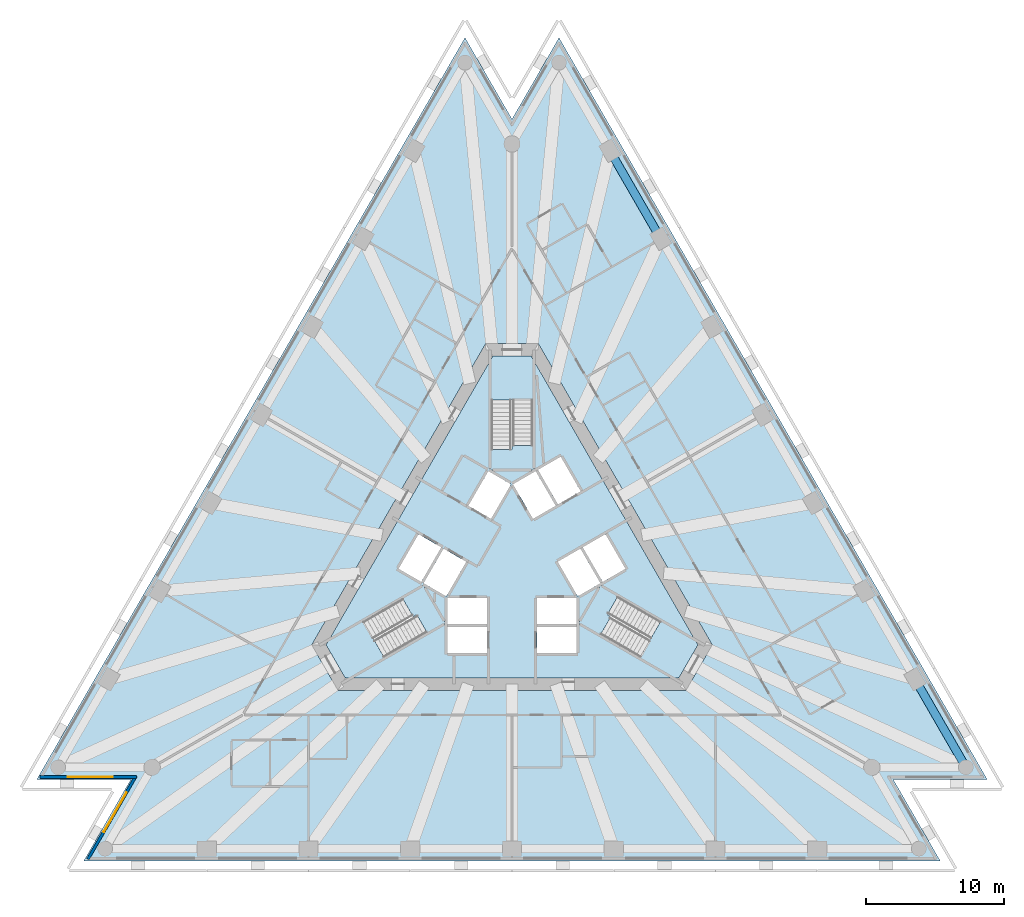
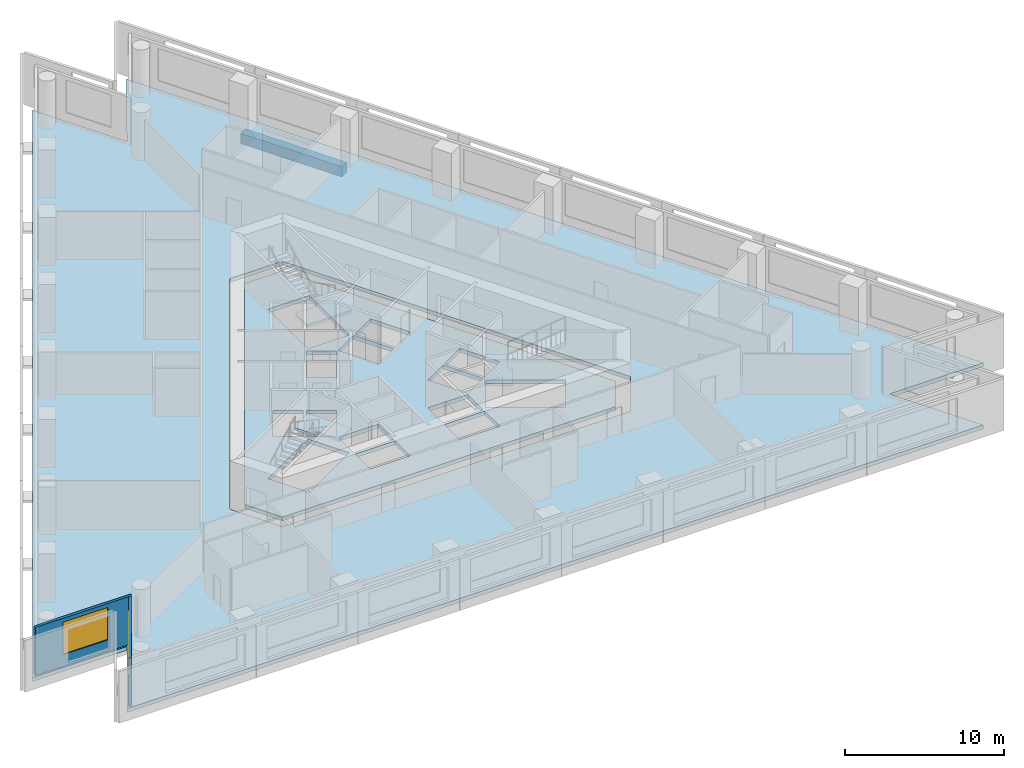
# One storey, part 2 of 11: 5 slabs, 2 beams, 2 walls, 2 windows, 2 openings, 3 elements without a shape of their own.
"""IFC4 building model written with IfcOpenShell, lengths in metres."""

from ifc_helpers import new_model, si_unit, direction, frame, frame_2d, origin, origin_2d, place, context, subcontext, project, spatial, polyline, rectangle, outline, extrude, material, layer, layer_set, layer_usage, material_profile, profile_set, type_object, element, fill, aggregate, save


model = new_model("IFC4")

# Units and contexts
model_context = context("Model", 3, precision=1e-05, world=origin(), true_north=direction((0.0, 1.0)))
body_context = subcontext(model_context, "Body", "Model", "MODEL_VIEW")
ifc_project = project(units=[si_unit("LENGTHUNIT", "METRE"), si_unit("AREAUNIT", "SQUARE_METRE"), si_unit("VOLUMEUNIT", "CUBIC_METRE"), si_unit("PLANEANGLEUNIT", "RADIAN"), si_unit("MASSUNIT", "GRAM", prefix="KILO")], contexts=[model_context])

# Site, building, storey
site_placement = place(None, origin())
site = spatial("IfcSite", under=ifc_project, at=site_placement, CompositionType="ELEMENT")
building_placement = place(site_placement, origin())
building = spatial("IfcBuilding", under=site, at=building_placement, Name="Triada Interchange Tower", CompositionType="ELEMENT")
storey_placement = place(building_placement, frame((0.0, 0.0, 67.300048828125)))
storey = spatial("IfcBuildingStorey", under=building, at=storey_placement, Name="L14", CompositionType="ELEMENT", Elevation=67.300048828125)

# Beams
ifc_material_1 = material(Name="Concrete C50/60", Category="concrete")
ifc_material_profile = material_profile(ifc_material_1, rectangle(XDim=0.60009765625, YDim=0.800048828125, at=origin_2d()), Name="RC 600x800")
ifc_profile_set = profile_set([ifc_material_profile], Name="Concrete C50/60")
beam_type = type_object("IfcBeamType", Name="Spandrel beam A RC 600x800", PredefinedType="BEAM", material=ifc_profile_set)
beam_1_placement = place(storey_placement, frame((32.98291015625, -15.097900390625, -0.699951171875), z_axis=(-0.500025532259, 0.866010662226, 0.0), x_axis=(-0.866010662226, -0.500025532259, 0.0)))
element("IfcBeam", 1, at=beam_1_placement, inside=storey, type_object=beam_type, Name="Spandrel beam EA21 L14", PredefinedType="BEAM", context=body_context, shape_type="SweptSolid", body=[
    extrude(rectangle(XDim=0.60009765625, YDim=0.800048828125, at=origin_2d()), origin(), (0.0, 0.0, 1.0), 7.39111328125),
])
beam_2_placement = place(storey_placement, frame((10.80810546875, 23.31005859375, -0.699951171875), z_axis=(-0.499993095098, 0.866029390295, 0.0), x_axis=(-0.866029390295, -0.499993095098, 0.0)))
element("IfcBeam", 2, at=beam_2_placement, inside=storey, type_object=beam_type, Name="Spandrel beam EA27 L14", PredefinedType="BEAM", context=body_context, shape_type="SweptSolid", body=[
    extrude(rectangle(XDim=0.60009765625, YDim=0.800048828125, at=origin_2d()), origin(), (0.0, 0.0, 1.0), 7.39208984375),
])

# Slabs
ifc_layer_1 = layer(ifc_material_1, 0.300048828125)
ifc_layer_set_1 = layer_set([ifc_layer_1], Name="Floor slab 300")
slab_type_1 = type_object("IfcSlabType", Name="Floor slab 300", PredefinedType="FLOOR", material=ifc_layer_set_1)
slab_1_placement = place(storey_placement, frame((0.0, 0.0, -0.300048828125)))
element("IfcSlab", 3, at=slab_1_placement, inside=storey, type_object=slab_type_1, Name="Floor slab L14", PredefinedType="FLOOR", context=body_context, shape_type="SweptSolid", body=[
    extrude(outline(polyline([(-3.416015625, 37.9130859375), (-34.5419921875, -15.998046875), (-27.708984375, -15.998046875), (-31.125, -21.9150390625), (31.125, -21.9150390625), (27.708984375, -15.998046875), (34.5419921875, -15.998046875), (3.416015625, 37.9130859375), (0.0, 31.99609375), (-3.416015625, 37.9130859375)]), holes=[polyline([(1.905029296875, 15.699951171875), (-1.905029296875, 15.699951171875), (-14.549072265625, -6.199951171875), (-12.64404296875, -9.5), (12.64404296875, -9.5), (14.549072265625, -6.199951171875), (1.905029296875, 15.699951171875)])]), origin(), (0.0, 0.0, 1.0), 0.300048828125),
])
slab_2_placement = place(storey_placement, frame((0.0, 0.0, -0.300048828125)))
element("IfcSlab", 4, at=slab_2_placement, inside=storey, type_object=slab_type_1, Name="Core floor slab L14 1", PredefinedType="FLOOR", context=body_context, shape_type="SweptSolid", body=[
    extrude(outline(polyline([(13.510009765625, -6.199951171875), (12.1240234375, -8.60009765625), (-12.1240234375, -8.60009765625), (-13.510009765625, -6.199951171875), (-1.385986328125, 14.800048828125), (1.385986328125, 14.800048828125), (13.510009765625, -6.199951171875)]), holes=[polyline([(9.2958984375, -7.09912109375), (10.7958984375, -4.5009765625), (6.466064453125, -2.0009765625), (4.966064453125, -4.59912109375), (9.2958984375, -7.09912109375)]), polyline([(6.7890625, 1.841064453125), (5.14404296875, 0.89111328125), (6.593994140625, -1.6201171875), (8.239013671875, -0.669921875), (6.7890625, 1.841064453125)]), polyline([(4.969970703125, 0.791015625), (3.324951171875, -0.158935546875), (4.77490234375, -2.669921875), (6.419921875, -1.719970703125), (4.969970703125, 0.791015625)]), polyline([(1.89404296875, 6.52001953125), (3.343994140625, 4.009033203125), (4.989013671875, 4.958984375), (3.5390625, 7.469970703125), (1.89404296875, 6.52001953125)]), polyline([(1.800048828125, -4.89990234375), (1.800048828125, -6.800048828125), (4.699951171875, -6.800048828125), (4.699951171875, -4.89990234375), (1.800048828125, -4.89990234375)]), polyline([(1.800048828125, -2.800048828125), (1.800048828125, -4.031005859375), (1.800048828125, -4.699951171875), (4.699951171875, -4.699951171875), (4.699951171875, -2.800048828125), (1.800048828125, -2.800048828125)]), polyline([(1.52490234375, 2.958984375), (1.68408203125, 3.051025390625), (3.169921875, 3.908935546875), (1.719970703125, 6.419921875), (0.074951171875, 5.469970703125), (1.52490234375, 2.958984375)]), polyline([(1.5, 11.60009765625), (-1.5, 11.60009765625), (-1.5, 6.60009765625), (1.5, 6.60009765625), (1.5, 11.60009765625)]), polyline([(-0.074951171875, 5.469970703125), (-1.719970703125, 6.419921875), (-3.169921875, 3.908935546875), (-1.6298828125, 3.01904296875), (-1.52490234375, 2.958984375), (-0.074951171875, 5.469970703125)]), polyline([(-4.699951171875, -2.800048828125), (-4.699951171875, -4.699951171875), (-1.800048828125, -4.699951171875), (-1.800048828125, -4.031005859375), (-1.800048828125, -2.800048828125), (-4.699951171875, -2.800048828125)]), polyline([(-4.699951171875, -4.89990234375), (-4.699951171875, -6.800048828125), (-1.800048828125, -6.800048828125), (-1.800048828125, -4.89990234375), (-4.699951171875, -4.89990234375)]), polyline([(-4.77490234375, -2.669921875), (-3.324951171875, -0.158935546875), (-4.969970703125, 0.791015625), (-6.419921875, -1.719970703125), (-4.77490234375, -2.669921875)]), polyline([(-10.7958984375, -4.5009765625), (-9.2958984375, -7.09912109375), (-4.966064453125, -4.59912109375), (-6.466064453125, -2.0009765625), (-10.7958984375, -4.5009765625)]), polyline([(-6.593994140625, -1.6201171875), (-5.14404296875, 0.89111328125), (-6.7890625, 1.841064453125), (-8.239013671875, -0.669921875), (-6.593994140625, -1.6201171875)])]), origin(), (0.0, 0.0, 1.0), 0.300048828125),
])

# Stair, slab
ifc_material_2 = material(Name="Concrete C35/45", Category="concrete")
stair_type = type_object("IfcStairType", Name="HALF TURN STAIR 1400", PredefinedType="HALF_TURN_STAIR", material=ifc_material_2)
stair_1_placement = place(storey_placement, origin())
stair_1 = element("IfcStair", 5, at=stair_1_placement, inside=storey, type_object=stair_type, Name="Exit stair S12-1", PredefinedType="HALF_TURN_STAIR")
ifc_layer_2 = layer(ifc_material_2, 0.199951171875)
ifc_layer_set_2 = layer_set([ifc_layer_2], Name="STAIR LANDING 200")
slab_type_2 = type_object("IfcSlabType", Name="STAIR LANDING 200", PredefinedType="LANDING", material=ifc_layer_set_2)
slab_3_placement = place(storey_placement, frame((0.0, 0.0, 1.719970703125)))
slab_3 = element("IfcSlab", 6, at=slab_3_placement, type_object=slab_type_2, Name="S12-1 landing 1", PredefinedType="LANDING", context=body_context, shape_type="SweptSolid", body=[
    extrude(outline(polyline([(1.60009765625, 6.5), (1.60009765625, 8.300048828125), (0.0, 8.300048828125), (0.0, 8.0), (-1.60009765625, 8.0), (-1.60009765625, 6.5), (1.60009765625, 6.5)])), origin(), (0.0, 0.0, 1.0), 0.199951171875),
])
aggregate(stair_1, [slab_3])

stair_2_placement = place(storey_placement, origin())
stair_2 = element("IfcStair", 7, at=stair_2_placement, inside=storey, type_object=stair_type, Name="Exit stair S12-2", PredefinedType="HALF_TURN_STAIR")
slab_4_placement = place(storey_placement, frame((0.0, 0.0, 1.719970703125)))
slab_4 = element("IfcSlab", 8, at=slab_4_placement, type_object=slab_type_2, Name="S12-2 landing 1", PredefinedType="LANDING", context=body_context, shape_type="SweptSolid", body=[
    extrude(outline(polyline([(-6.428955078125, -1.864013671875), (-7.988037109375, -2.763916015625), (-7.18798828125, -4.14990234375), (-6.927978515625, -4.0), (-6.1279296875, -5.385986328125), (-4.8291015625, -4.635986328125), (-6.428955078125, -1.864013671875)])), origin(), (0.0, 0.0, 1.0), 0.199951171875),
])
aggregate(stair_2, [slab_4])

stair_3_placement = place(storey_placement, origin())
stair_3 = element("IfcStair", 9, at=stair_3_placement, inside=storey, type_object=stair_type, Name="Exit stair S12-3", PredefinedType="HALF_TURN_STAIR")
slab_5_placement = place(storey_placement, frame((0.0, 0.0, 1.719970703125)))
slab_5 = element("IfcSlab", 10, at=slab_5_placement, type_object=slab_type_2, Name="S12-3 landing 1", PredefinedType="LANDING", context=body_context, shape_type="SweptSolid", body=[
    extrude(outline(polyline([(4.8291015625, -4.635986328125), (6.387939453125, -5.535888671875), (7.18798828125, -4.14990234375), (6.927978515625, -4.0), (7.72802734375, -2.614013671875), (6.428955078125, -1.864013671875), (4.8291015625, -4.635986328125)])), origin(), (0.0, 0.0, 1.0), 0.199951171875),
])
aggregate(stair_3, [slab_5])

# Wall, opening, window
ifc_material_3 = material(Name="Cement board")
ifc_layer_3 = layer(ifc_material_3, 0.02001953125, Name="Cement board cladding")
ifc_material_4 = material(Name="Sheathing board")
ifc_layer_4 = layer(ifc_material_4, 0.014892578125, Name="Sheathing board")
ifc_material_5 = material(Name="Mineral wool")
ifc_layer_5 = layer(ifc_material_5, 0.14990234375, Name="Mineral wool between steel studs")
ifc_material_6 = material(Name="Gypsum board")
ifc_layer_6 = layer(ifc_material_6, 0.014892578125, Name="Plasterboard lining")
ifc_layer_set_3 = layer_set([ifc_layer_3, ifc_layer_4, ifc_layer_5, ifc_layer_6], Name="External wall 200")
ifc_layer_usage = layer_usage(ifc_layer_set_3, "AXIS2", "POSITIVE", -0.10009765625)
wall_type = type_object("IfcWallType", Name="External wall 200", PredefinedType="ELEMENTEDWALL", material=ifc_layer_set_3)
wall_1_placement = place(storey_placement, frame((-34.285888671875, -15.798095703125, 0.0), z_axis=(0.0, 0.0, 1.0), x_axis=(1.0, 0.0, 0.0)))
wall_1 = element("IfcWall", 11, at=wall_1_placement, inside=storey, type_object=wall_type, material=ifc_layer_usage, Name="External wall L14 SW-1", PredefinedType="ELEMENTEDWALL", context=body_context, shape_type="SweptSolid", body=[
    extrude(rectangle(XDim=6.992919921875, YDim=0.199951171875, at=frame_2d((3.49658203125, 0.0))), origin(), (0.0, 0.0, 1.0), 3.699951171875),
])
opening_1_placement = place(wall_1_placement, frame((1.989990234375, 0.0, 0.89990234375)))
opening_1 = element("IfcOpeningElement", 12, at=opening_1_placement, cuts=wall_1, Name="Opening WA09", PredefinedType="OPENING", context=body_context, shape_type="SweptSolid", body=[
    extrude(rectangle(XDim=3.300048828125, YDim=2.5, at=frame_2d((1.64990234375, 1.25))), frame((0.0, 0.10986328125, 0.0), z_axis=(0.0, -1.0, 0.0), x_axis=(1.0, 0.0, 0.0)), (0.0, 0.0, 1.0), 0.219970703125),
])
ifc_material_7 = material(Name="Double glazed aluminium window", Category="aluminium")
window_type = type_object("IfcWindowType", Name="Ribbon window A pocket", PartitioningType="SINGLE_PANEL", PredefinedType="WINDOW", material=ifc_material_7)
window_1_placement = place(opening_1_placement, origin())
window_1 = element("IfcWindow", 13, at=window_1_placement, inside=storey, type_object=window_type, Name="Window L14 SW-1 1", OverallHeight=2.5, OverallWidth=3.300048828125, PartitioningType="SINGLE_PANEL", PredefinedType="WINDOW", context=body_context, shape_type="SweptSolid", body=[
    extrude(rectangle(XDim=3.300048828125, YDim=2.5, at=frame_2d((1.64990234375, 1.25))), frame((0.0, 0.030029296875, 0.0), z_axis=(0.0, -1.0, 0.0), x_axis=(1.0, 0.0, 0.0)), (0.0, 0.0, 1.0), 0.06005859375),
])
fill(opening_1, window_1)

wall_2_placement = place(storey_placement, frame((-27.318115234375, -15.719970703125, 0.0), z_axis=(0.0, 0.0, 1.0), x_axis=(-0.499943085557, -0.86605826086, 0.0)))
wall_2 = element("IfcWall", 14, at=wall_2_placement, inside=storey, type_object=wall_type, material=ifc_layer_usage, Name="External wall L14 SW-2", PredefinedType="ELEMENTEDWALL", context=body_context, shape_type="SweptSolid", body=[
    extrude(rectangle(XDim=6.992431640625, YDim=0.199951171875, at=frame_2d((3.49609375, 0.0))), origin(), (0.0, 0.0, 1.0), 3.699951171875),
])
opening_2_placement = place(wall_2_placement, frame((1.389892578125, 0.0, 0.89990234375)))
opening_2 = element("IfcOpeningElement", 15, at=opening_2_placement, cuts=wall_2, Name="Opening WA10", PredefinedType="OPENING", context=body_context, shape_type="SweptSolid", body=[
    extrude(rectangle(XDim=3.300048828125, YDim=2.5, at=frame_2d((1.64990234375, 1.25))), frame((0.0, 0.10986328125, 0.0), z_axis=(0.0, -1.0, 0.0), x_axis=(1.0, 0.0, 0.0)), (0.0, 0.0, 1.0), 0.219970703125),
])
window_2_placement = place(opening_2_placement, origin())
window_2 = element("IfcWindow", 16, at=window_2_placement, inside=storey, type_object=window_type, Name="Window L14 SW-2 1", OverallHeight=2.5, OverallWidth=3.300048828125, PartitioningType="SINGLE_PANEL", PredefinedType="WINDOW", context=body_context, shape_type="SweptSolid", body=[
    extrude(rectangle(XDim=3.300048828125, YDim=2.5, at=frame_2d((1.64990234375, 1.25))), frame((0.0, 0.030029296875, 0.0), z_axis=(0.0, -1.0, 0.0), x_axis=(1.0, 0.0, 0.0)), (0.0, 0.0, 1.0), 0.06005859375),
])
fill(opening_2, window_2)

save(model, "model.ifc")
